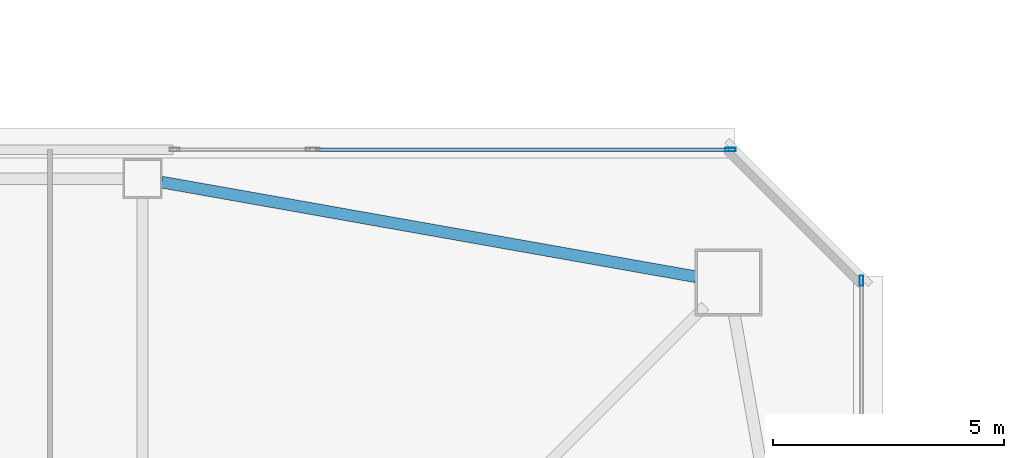
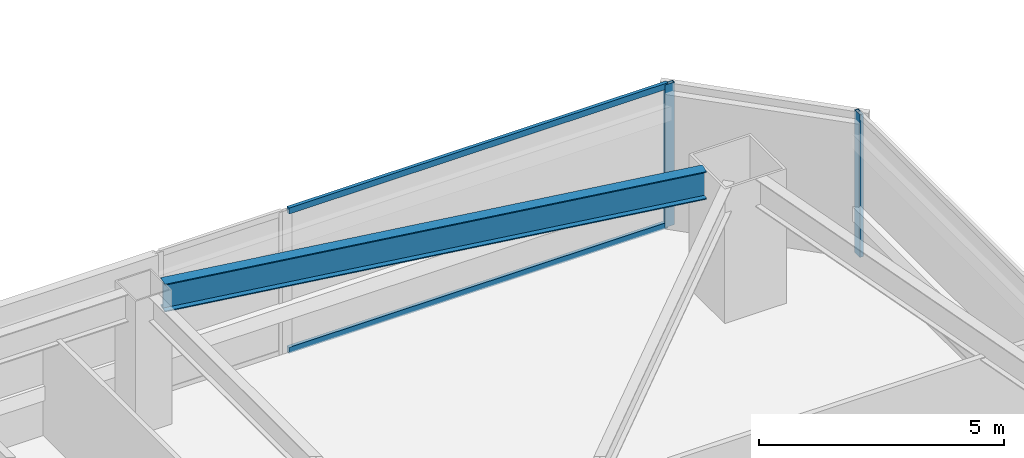
# One storey, part 15 of 46: 4 members, 1 beam, 2 elements without a shape of their own.
"""IFC4 building model written with IfcOpenShell, lengths in metres."""

import ifcopenshell
import ifcopenshell.guid

model = None  # the IFC model being written
_history = None  # IfcOwnerHistory: only IFC2X3 demands one
_inside = {}  # id of a spatial element -> (the spatial element, [elements in it])
_under = {}  # id of a project, library or spatial element -> (it, [spatial elements below it])
_declared = {}  # id of a project -> (the project, [libraries it declares])
_typed = {}  # id of a type object -> (the type object, [elements of that type])
_made_of = {}  # id of a material, layer set ... -> (it, [elements and type objects made of it])


def new_model(schema):
    """Start an empty IFC model of exactly this schema.

    Asked for "IFC4X3", IfcOpenShell would pick the latest addendum, in which some entities
    have other attributes; the version numbers below select the first issue.
    IFC2X3 requires an IfcOwnerHistory on every rooted entity: one is made here for all.
    """
    global model, _history
    if schema == "IFC4X3":
        model = ifcopenshell.file(schema_version=(4, 3, 0, 0))
    else:
        model = ifcopenshell.file(schema=schema)
    _inside.clear()
    _under.clear()
    _declared.clear()
    _typed.clear()
    _made_of.clear()
    _history = None
    if model.schema == "IFC2X3":
        org = make("IfcOrganization", Name="unknown")
        user = make(
            "IfcPersonAndOrganization",
            ThePerson=make("IfcPerson", FamilyName="unknown"),
            TheOrganization=org,
        )
        app = make(
            "IfcApplication",
            ApplicationDeveloper=org,
            Version="unknown",
            ApplicationFullName="unknown",
            ApplicationIdentifier="unknown",
        )
        _history = make(
            "IfcOwnerHistory",
            OwningUser=user,
            OwningApplication=app,
            ChangeAction="ADDED",
            CreationDate=0,
        )
    return model


def make(cls, **values):
    """One entity of the class cls with the attributes given. An attribute that is None is left unset."""
    return model.create_entity(
        cls, **{name: value for name, value in values.items() if value is not None}
    )


def rooted(cls, **values):
    """An entity with a GlobalId (a new one), such as an element, a storey or a relation."""
    return make(cls, GlobalId=ifcopenshell.guid.new(), OwnerHistory=_history, **values)


def si_unit(unit_type, name, prefix=None):
    """IfcSIUnit, for example si_unit("LENGTHUNIT", "METRE", prefix="MILLI")."""
    return make("IfcSIUnit", UnitType=unit_type, Prefix=prefix, Name=name)


def assignment(units):
    """IfcUnitAssignment: the units of a project."""
    return None if units is None else make("IfcUnitAssignment", Units=units)


def point(xyz):
    """IfcCartesianPoint."""
    return None if xyz is None else make("IfcCartesianPoint", Coordinates=xyz)


def direction(xyz):
    """IfcDirection."""
    return None if xyz is None else make("IfcDirection", DirectionRatios=xyz)


def frame(location, z_axis=None, x_axis=None):
    """IfcAxis2Placement3D, a coordinate frame: its origin and axes. An axis left out is left unset."""
    return make(
        "IfcAxis2Placement3D",
        Location=point(location),
        Axis=direction(z_axis),
        RefDirection=direction(x_axis),
    )


def frame_2d(location, x_axis=None):
    """IfcAxis2Placement2D, a coordinate frame in the plane: its origin and x axis."""
    return make(
        "IfcAxis2Placement2D", Location=point(location), RefDirection=direction(x_axis)
    )


def origin():
    """The frame at (0, 0, 0) with its axes left unset."""
    return frame((0.0, 0.0, 0.0))


def origin_2d():
    """The frame at (0, 0) in the plane with its x axis left unset."""
    return frame_2d((0.0, 0.0))


def place(relative_to, where):
    """IfcLocalPlacement: puts the frame where relative to a parent placement (None: the world)."""
    return make(
        "IfcLocalPlacement", PlacementRelTo=relative_to, RelativePlacement=where
    )


def context(
    kind, dimensions, precision=None, world=None, true_north=None, identifier=None
):
    """IfcGeometricRepresentationContext, for example the 3D "Model" context."""
    return make(
        "IfcGeometricRepresentationContext",
        ContextIdentifier=identifier,
        ContextType=kind,
        CoordinateSpaceDimension=dimensions,
        Precision=precision,
        WorldCoordinateSystem=world,
        TrueNorth=true_north,
    )


def subcontext(parent, identifier, kind, view, scale=None):
    """IfcGeometricRepresentationSubContext, for example "Body" below "Model"."""
    return make(
        "IfcGeometricRepresentationSubContext",
        ContextIdentifier=identifier,
        ContextType=kind,
        ParentContext=parent,
        TargetScale=scale,
        TargetView=view,
    )


def project(units=None, contexts=None):
    """IfcProject with its units and contexts."""
    return rooted(
        "IfcProject",
        Name="project",
        RepresentationContexts=contexts,
        UnitsInContext=assignment(units),
    )


def spatial(cls, under=None, at=None, **own):
    """A site, building, storey or space (cls), placed at a placement, below another one or the project."""
    s = rooted(cls, ObjectPlacement=at, **own)
    if under is not None:
        _under.setdefault(under.id(), (under, []))[1].append(s)
    return s


def profile(cls, at=None, kind="AREA", **sizes):
    """A parametric profile (cls). Its sizes go by their IFC names, for example OverallWidth=200.0."""
    return make(cls, ProfileType=kind, Position=at, **sizes)


def hollow_rectangle(**sizes):
    """IfcRectangleHollowProfileDef."""
    return profile("IfcRectangleHollowProfileDef", **sizes)


def i_section(**sizes):
    """IfcIShapeProfileDef."""
    return profile("IfcIShapeProfileDef", **sizes)


def extrude(swept, where, along, depth):
    """IfcExtrudedAreaSolid: the profile swept, set in the frame where, extruded along a direction by depth."""
    return make(
        "IfcExtrudedAreaSolid",
        SweptArea=swept,
        Position=where,
        ExtrudedDirection=direction(along),
        Depth=depth,
    )


def shape(context_of_items, identifier, shape_type, items):
    """IfcShapeRepresentation: the items that make up one representation, for example the "Body"."""
    return make(
        "IfcShapeRepresentation",
        ContextOfItems=context_of_items,
        RepresentationIdentifier=identifier,
        RepresentationType=shape_type,
        Items=items,
    )


def material(Name=None, Category=None):
    """IfcMaterial."""
    return make("IfcMaterial", Name=Name, Category=Category)


def material_profile(
    of_material, cross_section, Name=None, Category=None, Priority=None
):
    """IfcMaterialProfile: a cross section and its material."""
    return make(
        "IfcMaterialProfile",
        Name=Name,
        Material=of_material,
        Profile=cross_section,
        Priority=Priority,
        Category=Category,
    )


def profile_set(profiles, Name=None, composite=None):
    """IfcMaterialProfileSet."""
    return make(
        "IfcMaterialProfileSet",
        Name=Name,
        MaterialProfiles=profiles,
        CompositeProfile=composite,
    )


def made_of(thing, what):
    """Note that an element or type object is made of a material, layer set ...; save() writes the relation."""
    if what is not None:
        _made_of.setdefault(what.id(), (what, []))[1].append(thing)
    return thing


def type_object(cls, material=None, **own):
    """A type object (cls), such as IfcWallType, which elements share."""
    return made_of(rooted(cls, **own), material)


def element(
    cls,
    number,
    at=None,
    inside=None,
    cuts=None,
    type_object=None,
    material=None,
    context=None,
    identifier="Body",
    shape_type=None,
    held_by="IfcProductDefinitionShape",
    body=None,
    shapes=None,
    **own,
):
    """One element of the class cls, such as IfcWall. Its Tag is "e" and its number.

    at: its placement. inside: the storey or other place that contains it. cuts: it is an
    opening in that element (IfcRelVoidsElement). A single representation is given by context,
    identifier, shape_type and body (its items); several are given by shapes. held_by: the class
    of the entity that holds the representations. save() writes the other relations.
    """
    e = rooted(cls, Tag="e%d" % number, ObjectPlacement=at, **own)
    if body is not None:
        shapes = [shape(context, identifier, shape_type, body)]
    if shapes is not None:
        e.Representation = make(held_by, Representations=shapes)
    if inside is not None:
        _inside.setdefault(inside.id(), (inside, []))[1].append(e)
    if cuts is not None:
        rooted(
            "IfcRelVoidsElement", RelatingBuildingElement=cuts, RelatedOpeningElement=e
        )
    if type_object is not None:
        _typed.setdefault(type_object.id(), (type_object, []))[1].append(e)
    return made_of(e, material)


def aggregate(whole, parts):
    """IfcRelAggregates: a whole, such as a stair, and the parts it consists of."""
    return rooted("IfcRelAggregates", RelatingObject=whole, RelatedObjects=parts)


def save(model, path):
    """Write the relations noted so far, then the file.

    IfcRelAggregates (storeys below a building ...), IfcRelContainedInSpatialStructure (elements
    in a storey), IfcRelDefinesByType, IfcRelAssociatesMaterial and IfcRelDeclares: one each for
    every whole, place, type object, material and project.
    """
    for whole, parts in _under.values():
        aggregate(whole, parts)
    for where, things in _inside.values():
        rooted(
            "IfcRelContainedInSpatialStructure",
            RelatedElements=things,
            RelatingStructure=where,
        )
    for kind, things in _typed.values():
        rooted("IfcRelDefinesByType", RelatedObjects=things, RelatingType=kind)
    for what, things in _made_of.values():
        rooted("IfcRelAssociatesMaterial", RelatedObjects=things, RelatingMaterial=what)
    for by, libraries in _declared.values():
        rooted("IfcRelDeclares", RelatingContext=by, RelatedDefinitions=libraries)
    model.write(path)


model = new_model("IFC4")

# Units and contexts
model_context = context("Model", 3, precision=1e-05, world=origin(), true_north=direction((0.0, 1.0)))
body_context = subcontext(model_context, "Body", "Model", "MODEL_VIEW")
ifc_project = project(units=[si_unit("LENGTHUNIT", "METRE"), si_unit("AREAUNIT", "SQUARE_METRE"), si_unit("VOLUMEUNIT", "CUBIC_METRE"), si_unit("PLANEANGLEUNIT", "RADIAN"), si_unit("MASSUNIT", "GRAM", prefix="KILO")], contexts=[model_context])

# Site, building, storey
site_placement = place(None, origin())
site = spatial("IfcSite", under=ifc_project, at=site_placement, CompositionType="ELEMENT")
building_placement = place(site_placement, origin())
building = spatial("IfcBuilding", under=site, at=building_placement, Name="Tashvorn Skyway Center", CompositionType="ELEMENT")
storey_placement = place(building_placement, frame((0.0, 0.0, 99.14990234375)))
storey = spatial("IfcBuildingStorey", under=building, at=storey_placement, Name="L26", CompositionType="ELEMENT", Elevation=99.14990234375)

# Beam
ifc_material_1 = material(Name="Steel ASTM A992 Grade 50", Category="steel")
ifc_material_profile_1 = material_profile(ifc_material_1, i_section(OverallWidth=0.256103515625, OverallDepth=0.693115234375, WebThickness=0.014404296875, FlangeThickness=0.023681640625, at=origin_2d()), Name="W27X114")
ifc_profile_set_1 = profile_set([ifc_material_profile_1], Name="Steel ASTM A992 Grade 50")
beam_type = type_object("IfcBeamType", Name="BM-SPANDREL-W27X114", PredefinedType="SPANDREL", material=ifc_profile_set_1)
beam_placement = place(storey_placement, frame((59.39111328125, 50.2255859375, 3.003662109375), z_axis=(-0.98466816531, 0.174437966698, 0.0), x_axis=(-0.174437966698, -0.98466816531, 0.0)))
element("IfcBeam", 1, at=beam_placement, inside=storey, type_object=beam_type, Name="Tower 1 L26 Spandrel Beam 07", PredefinedType="SPANDREL", context=body_context, shape_type="SweptSolid", body=[
    extrude(i_section(OverallWidth=0.256103515625, OverallDepth=0.693115234375, WebThickness=0.014404296875, FlangeThickness=0.023681640625, at=origin_2d()), origin(), (0.0, 0.0, 1.0), 11.7578125),
])

# Curtain wall, member
ifc_material_2 = material(Name="Thermally broken bronze-anodized aluminium 6063-T6", Category="aluminium")
curtain_wall_type = type_object("IfcCurtainWallType", Name="CW-CW-Z2", PredefinedType="NOTDEFINED", material=ifc_material_2)
curtain_wall_1_placement = place(storey_placement, origin())
curtain_wall_1 = element("IfcCurtainWall", 2, at=curtain_wall_1_placement, inside=storey, type_object=curtain_wall_type, Name="Tower 1 L26 North Unitised Curtain Wall Glazing Group 4", PredefinedType="NOTDEFINED")
ifc_material_profile_2 = material_profile(ifc_material_2, hollow_rectangle(XDim=0.080078125, YDim=0.219970703125, WallThickness=0.0048828125, at=origin_2d()), Name="ALU-MULL-80x220")
ifc_profile_set_2 = profile_set([ifc_material_profile_2], Name="Thermally broken bronze-anodized aluminium 6063-T6")
member_type_1 = type_object("IfcMemberType", Name="CWM-CW-Z2", PredefinedType="MULLION", material=ifc_profile_set_2)
member_1_placement = place(storey_placement, frame((60.139892578125, 52.97998046875, 0.0), z_axis=(0.0, 0.0, 1.0), x_axis=(0.0, 1.0, 0.0)))
member_1 = element("IfcMember", 3, at=member_1_placement, type_object=member_type_1, Name="CW-Z2 mullion 2", PredefinedType="MULLION", context=body_context, shape_type="SweptSolid", body=[
    extrude(hollow_rectangle(XDim=0.080078125, YDim=0.219970703125, WallThickness=0.0048828125, at=origin_2d()), origin(), (0.0, 0.0, 1.0), 3.550048828125),
])

curtain_wall_2_placement = place(storey_placement, origin())
curtain_wall_2 = element("IfcCurtainWall", 4, at=curtain_wall_2_placement, inside=storey, type_object=curtain_wall_type, Name="Tower 1 L26 East Curtain Wall L", PredefinedType="NOTDEFINED")
member_2_placement = place(storey_placement, frame((62.97998046875, 50.139892578125, 0.0), z_axis=(0.0, 0.0, 1.0), x_axis=(1.0, 0.0, 0.0)))
member_2 = element("IfcMember", 5, at=member_2_placement, type_object=member_type_1, Name="CW-Z2 mullion 1", PredefinedType="MULLION", context=body_context, shape_type="SweptSolid", body=[
    extrude(hollow_rectangle(XDim=0.080078125, YDim=0.219970703125, WallThickness=0.0048828125, at=origin_2d()), origin(), (0.0, 0.0, 1.0), 3.550048828125),
])
aggregate(curtain_wall_2, [member_2])

# Member
ifc_material_profile_3 = material_profile(ifc_material_2, hollow_rectangle(XDim=0.080078125, YDim=0.14990234375, WallThickness=0.00439453125, at=origin_2d()), Name="ALU-TRAN-80x150")
ifc_profile_set_3 = profile_set([ifc_material_profile_3], Name="Thermally broken bronze-anodized aluminium 6063-T6")
member_type_2 = type_object("IfcMemberType", Name="CWT-CW-Z2", PredefinedType="USERDEFINED", material=ifc_profile_set_3)
member_3_placement = place(storey_placement, frame((51.169921875, 52.97998046875, 0.0400390625), z_axis=(1.0, 0.0, 0.0), x_axis=(0.0, 1.0, 0.0)))
member_3 = element("IfcMember", 6, at=member_3_placement, type_object=member_type_2, Name="CW-Z2 transom 1.1", ObjectType="TRANSOM", PredefinedType="USERDEFINED", context=body_context, shape_type="SweptSolid", body=[
    extrude(hollow_rectangle(XDim=0.080078125, YDim=0.14990234375, WallThickness=0.00439453125, at=origin_2d()), origin(), (0.0, 0.0, 1.0), 8.93017578125),
])

member_4_placement = place(storey_placement, frame((51.169921875, 52.97998046875, 3.510009765625), z_axis=(1.0, 0.0, 0.0), x_axis=(0.0, 1.0, 0.0)))
member_4 = element("IfcMember", 7, at=member_4_placement, type_object=member_type_2, Name="CW-Z2 transom 1.2", ObjectType="TRANSOM", PredefinedType="USERDEFINED", context=body_context, shape_type="SweptSolid", body=[
    extrude(hollow_rectangle(XDim=0.080078125, YDim=0.14990234375, WallThickness=0.00439453125, at=origin_2d()), origin(), (0.0, 0.0, 1.0), 8.93017578125),
])

aggregate(curtain_wall_1, [member_1, member_3, member_4])

save(model, "model.ifc")
